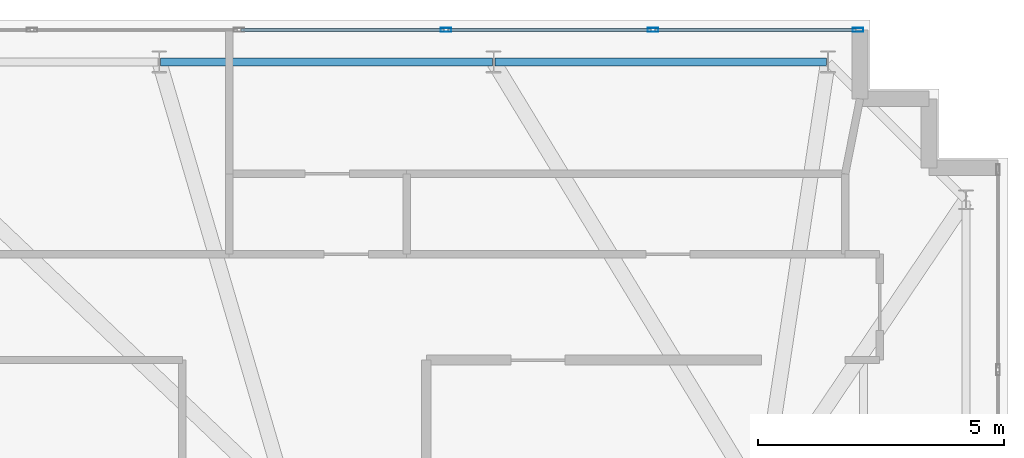
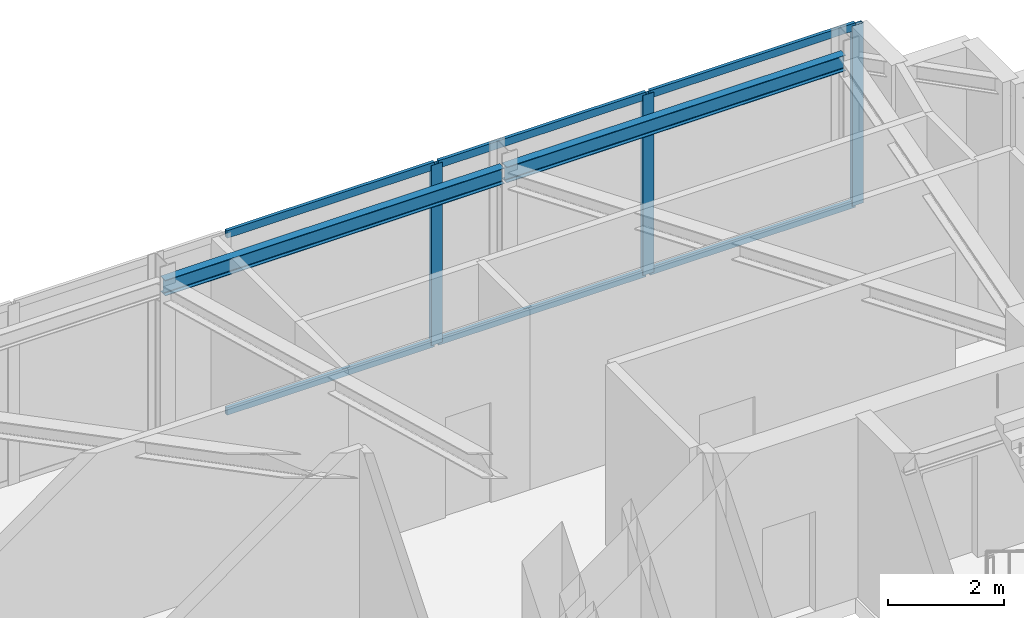
# One storey, part 17 of 24: 9 members, 2 beams, 1 element without a shape of its own.
"""IFC4 building model written with IfcOpenShell, lengths in metres."""

from ifc_helpers import new_model, si_unit, direction, frame, origin, origin_2d, place, context, subcontext, project, spatial, hollow_rectangle, i_section, extrude, material, layer, layer_set, material_profile, profile_set, type_object, element, aggregate, save


model = new_model("IFC4")

# Units and contexts
model_context = context("Model", 3, precision=1e-05, world=origin(), true_north=direction((0.0, 1.0)))
body_context = subcontext(model_context, "Body", "Model", "MODEL_VIEW")
ifc_project = project(units=[si_unit("LENGTHUNIT", "METRE"), si_unit("AREAUNIT", "SQUARE_METRE"), si_unit("VOLUMEUNIT", "CUBIC_METRE"), si_unit("PLANEANGLEUNIT", "RADIAN"), si_unit("MASSUNIT", "GRAM", prefix="KILO")], contexts=[model_context])

# Site, building, storey
site_placement = place(None, origin())
site = spatial("IfcSite", under=ifc_project, at=site_placement, CompositionType="ELEMENT")
building_placement = place(site_placement, origin())
building = spatial("IfcBuilding", under=site, at=building_placement, Name="Qobustan Lattice House", CompositionType="ELEMENT")
storey_placement = place(building_placement, frame((0.0, 0.0, 261.800048828125)))
storey = spatial("IfcBuildingStorey", under=building, at=storey_placement, Name="L74", CompositionType="ELEMENT", Elevation=261.800048828125)

# Beams
ifc_material_1 = material(Name="Steel S355", Category="steel")
ifc_material_profile_1 = material_profile(ifc_material_1, i_section(OverallWidth=0.159912109375, OverallDepth=0.330078125, WebThickness=0.007568359375, FlangeThickness=0.011474609375, FilletRadius=0.01806640625, at=origin_2d()), Name="IPE330")
ifc_profile_set_1 = profile_set([ifc_material_profile_1], Name="Steel S355")
beam_type = type_object("IfcBeamType", Name="BM-SPD-IPE330", PredefinedType="SPANDREL", material=ifc_profile_set_1)
for number, where, z_axis, x_axis, name in (
    (1, (20.125, 14.550048828125, 3.614990234375), (-1.0, 0.0, 0.0), (0.0, -1.0, 0.0), "L74 perimeter spandrel N1-N2"),
    (2, (13.341796875, 14.550048828125, 3.614990234375), (-1.0, 0.0, 0.0), (0.0, -1.0, 0.0), "L74 perimeter spandrel N2-N3"),
):
    element("IfcBeam", number, at=place(storey_placement, frame(where, z_axis=z_axis, x_axis=x_axis)), inside=storey, type_object=beam_type, Name=name, PredefinedType="SPANDREL", context=body_context, shape_type="SweptSolid", body=[
        extrude(i_section(OverallWidth=0.159912109375, OverallDepth=0.330078125, WebThickness=0.007568359375, FlangeThickness=0.011474609375, FilletRadius=0.01806640625, at=origin_2d()), origin(), (0.0, 0.0, 1.0), 6.7333984375),
    ])

# Curtain wall, members
ifc_material_2 = material(Name="Anodised aluminium and low-E glazing", Category="aluminium")
ifc_layer = layer(ifc_material_2, 0.219970703125)
ifc_layer_set = layer_set([ifc_layer], Name="Anodised aluminium and low-E glazing")
curtain_wall_type = type_object("IfcCurtainWallType", Name="CW-OBS-01", PredefinedType="USERDEFINED", material=ifc_layer_set)
curtain_wall_placement = place(storey_placement, origin())
curtain_wall = element("IfcCurtainWall", 3, at=curtain_wall_placement, inside=storey, type_object=curtain_wall_type, Name="L74 N panoramic observation curtain wall", ObjectType="CURTAIN WALL", PredefinedType="USERDEFINED")
ifc_material_3 = material(Name="Anodised aluminium EN AW-6063 T6", Category="aluminium")
ifc_material_profile_2 = material_profile(ifc_material_3, hollow_rectangle(XDim=0.080078125, YDim=0.219970703125, WallThickness=0.0048828125, at=origin_2d()), Name="CWM-220x80")
ifc_profile_set_2 = profile_set([ifc_material_profile_2], Name="Anodised aluminium EN AW-6063 T6")
member_type_1 = type_object("IfcMemberType", Name="CWM-MAIN-220", PredefinedType="MULLION", material=ifc_profile_set_2)
member_1_placement = place(storey_placement, frame((12.39990234375, 15.199951171875, 0.0), z_axis=(0.0, 0.0, 1.0), x_axis=(0.0, 1.0, 0.0)))
member_1 = element("IfcMember", 4, at=member_1_placement, type_object=member_type_1, Name="CW-OB mullion 9", PredefinedType="MULLION", context=body_context, shape_type="SweptSolid", body=[
    extrude(hollow_rectangle(XDim=0.080078125, YDim=0.219970703125, WallThickness=0.0048828125, at=origin_2d()), origin(), (0.0, 0.0, 1.0), 3.780029296875),
])
member_2_placement = place(storey_placement, frame((16.60009765625, 15.199951171875, 0.0), z_axis=(0.0, 0.0, 1.0), x_axis=(0.0, 1.0, 0.0)))
member_2 = element("IfcMember", 5, at=member_2_placement, type_object=member_type_1, Name="CW-OB mullion 10", PredefinedType="MULLION", context=body_context, shape_type="SweptSolid", body=[
    extrude(hollow_rectangle(XDim=0.080078125, YDim=0.219970703125, WallThickness=0.0048828125, at=origin_2d()), origin(), (0.0, 0.0, 1.0), 3.780029296875),
])
member_3_placement = place(storey_placement, frame((20.760009765625, 15.199951171875, 0.0), z_axis=(0.0, 0.0, 1.0), x_axis=(0.0, 1.0, 0.0)))
member_3 = element("IfcMember", 6, at=member_3_placement, type_object=member_type_1, Name="CW-OB mullion 11", PredefinedType="MULLION", context=body_context, shape_type="SweptSolid", body=[
    extrude(hollow_rectangle(XDim=0.080078125, YDim=0.219970703125, WallThickness=0.0048828125, at=origin_2d()), origin(), (0.0, 0.0, 1.0), 3.780029296875),
])
ifc_material_4 = material(Name="Anodised aluminium EN AW-6063 T6", Category="aluminium")
ifc_material_profile_3 = material_profile(ifc_material_4, hollow_rectangle(XDim=0.06494140625, YDim=0.159912109375, WallThickness=0.00390625, at=origin_2d()), Name="CWT-160x65")
ifc_profile_set_3 = profile_set([ifc_material_profile_3], Name="Anodised aluminium EN AW-6063 T6")
member_type_2 = type_object("IfcMemberType", Name="CWT-HOR-160", PredefinedType="USERDEFINED", material=ifc_profile_set_3)
member_4_placement = place(storey_placement, frame((8.239990234375, 15.199951171875, 0.032470703125), z_axis=(1.0, 0.0, 0.0), x_axis=(0.0, 1.0, 0.0)))
member_4 = element("IfcMember", 7, at=member_4_placement, type_object=member_type_2, Name="CW-OB transom 8.1", ObjectType="TRANSOM", PredefinedType="USERDEFINED", context=body_context, shape_type="SweptSolid", body=[
    extrude(hollow_rectangle(XDim=0.06494140625, YDim=0.159912109375, WallThickness=0.00390625, at=origin_2d()), origin(), (0.0, 0.0, 1.0), 4.1201171875),
])
member_5_placement = place(storey_placement, frame((8.239990234375, 15.199951171875, 3.74755859375), z_axis=(1.0, 0.0, 0.0), x_axis=(0.0, 1.0, 0.0)))
member_5 = element("IfcMember", 8, at=member_5_placement, type_object=member_type_2, Name="CW-OB transom 8.2", ObjectType="TRANSOM", PredefinedType="USERDEFINED", context=body_context, shape_type="SweptSolid", body=[
    extrude(hollow_rectangle(XDim=0.06494140625, YDim=0.159912109375, WallThickness=0.00390625, at=origin_2d()), origin(), (0.0, 0.0, 1.0), 4.1201171875),
])
member_6_placement = place(storey_placement, frame((12.43994140625, 15.199951171875, 0.032470703125), z_axis=(1.0, 0.0, 0.0), x_axis=(0.0, 1.0, 0.0)))
member_6 = element("IfcMember", 9, at=member_6_placement, type_object=member_type_2, Name="CW-OB transom 9.1", ObjectType="TRANSOM", PredefinedType="USERDEFINED", context=body_context, shape_type="SweptSolid", body=[
    extrude(hollow_rectangle(XDim=0.06494140625, YDim=0.159912109375, WallThickness=0.00390625, at=origin_2d()), origin(), (0.0, 0.0, 1.0), 4.1201171875),
])
member_7_placement = place(storey_placement, frame((12.43994140625, 15.199951171875, 3.74755859375), z_axis=(1.0, 0.0, 0.0), x_axis=(0.0, 1.0, 0.0)))
member_7 = element("IfcMember", 10, at=member_7_placement, type_object=member_type_2, Name="CW-OB transom 9.2", ObjectType="TRANSOM", PredefinedType="USERDEFINED", context=body_context, shape_type="SweptSolid", body=[
    extrude(hollow_rectangle(XDim=0.06494140625, YDim=0.159912109375, WallThickness=0.00390625, at=origin_2d()), origin(), (0.0, 0.0, 1.0), 4.1201171875),
])
member_8_placement = place(storey_placement, frame((16.639892578125, 15.199951171875, 0.032470703125), z_axis=(1.0, 0.0, 0.0), x_axis=(0.0, 1.0, 0.0)))
member_8 = element("IfcMember", 11, at=member_8_placement, type_object=member_type_2, Name="CW-OB transom 10.1", ObjectType="TRANSOM", PredefinedType="USERDEFINED", context=body_context, shape_type="SweptSolid", body=[
    extrude(hollow_rectangle(XDim=0.06494140625, YDim=0.159912109375, WallThickness=0.00390625, at=origin_2d()), origin(), (0.0, 0.0, 1.0), 4.080078125),
])
member_9_placement = place(storey_placement, frame((16.639892578125, 15.199951171875, 3.74755859375), z_axis=(1.0, 0.0, 0.0), x_axis=(0.0, 1.0, 0.0)))
member_9 = element("IfcMember", 12, at=member_9_placement, type_object=member_type_2, Name="CW-OB transom 10.2", ObjectType="TRANSOM", PredefinedType="USERDEFINED", context=body_context, shape_type="SweptSolid", body=[
    extrude(hollow_rectangle(XDim=0.06494140625, YDim=0.159912109375, WallThickness=0.00390625, at=origin_2d()), origin(), (0.0, 0.0, 1.0), 4.080078125),
])
aggregate(curtain_wall, [member_1, member_2, member_3, member_4, member_5, member_6, member_7, member_8, member_9])

save(model, "model.ifc")
